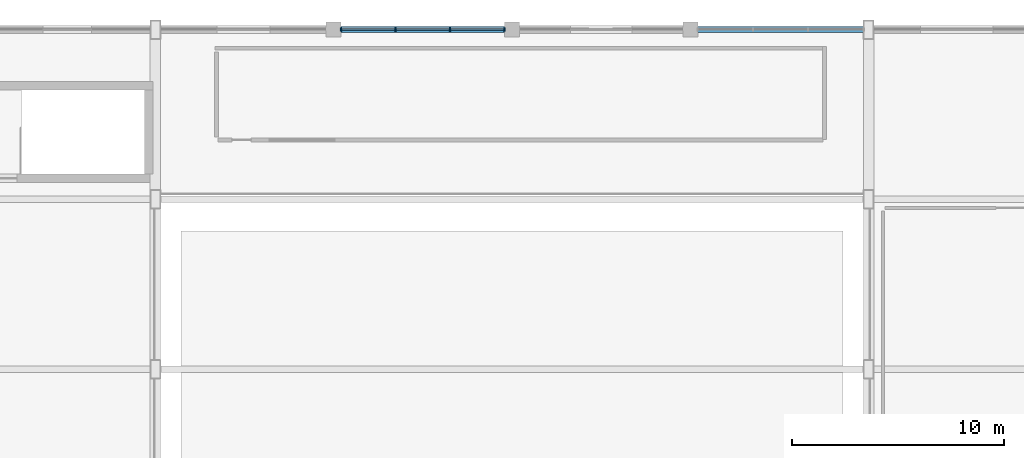
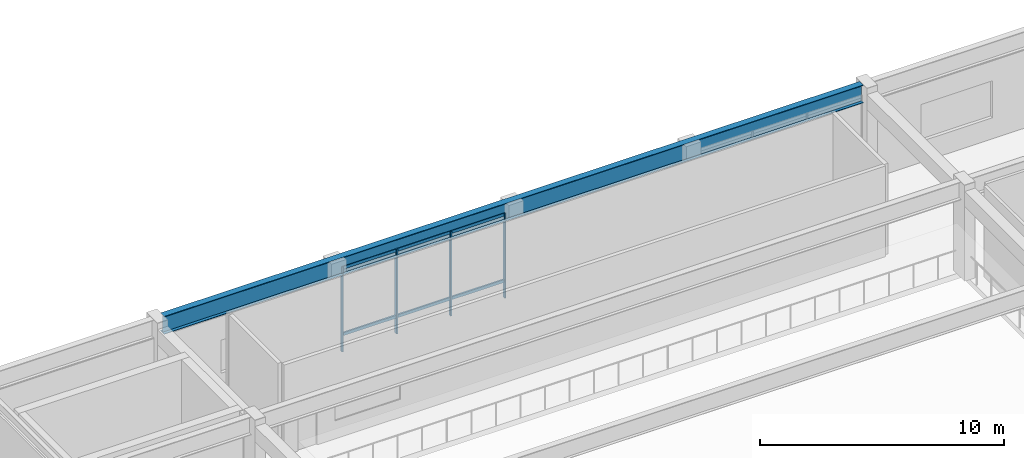
# One storey, part 39 of 76: 10 members, 1 beam, 1 element without a shape of its own.
"""IFC4 building model written with IfcOpenShell, lengths in metres."""

from ifc_helpers import new_model, si_unit, direction, frame, origin, origin_2d, place, context, subcontext, project, spatial, rectangle, i_section, extrude, material, layer, layer_set, material_profile, profile_set, type_object, element, aggregate, save


model = new_model("IFC4")

# Units and contexts
model_context = context("Model", 3, precision=1e-05, world=origin(), true_north=direction((0.0, 1.0)))
body_context = subcontext(model_context, "Body", "Model", "MODEL_VIEW")
ifc_project = project(units=[si_unit("LENGTHUNIT", "METRE"), si_unit("AREAUNIT", "SQUARE_METRE"), si_unit("VOLUMEUNIT", "CUBIC_METRE"), si_unit("PLANEANGLEUNIT", "RADIAN"), si_unit("MASSUNIT", "GRAM", prefix="KILO")], contexts=[model_context])

# Site, building, storey
site_placement = place(None, origin())
site = spatial("IfcSite", under=ifc_project, at=site_placement, CompositionType="ELEMENT")
building_placement = place(site_placement, origin())
building = spatial("IfcBuilding", under=site, at=building_placement, Name="Naruveol Harbour Congress Hotel", CompositionType="ELEMENT")
storey_placement = place(building_placement, frame((0.0, 0.0, 11.39990234375)))
storey = spatial("IfcBuildingStorey", under=building, at=storey_placement, Name="L02", CompositionType="ELEMENT", Elevation=11.39990234375)

# Beam
ifc_material_1 = material(Name="Steel SN490", Category="steel")
ifc_material_profile_1 = material_profile(ifc_material_1, i_section(OverallWidth=0.300048828125, OverallDepth=0.89990234375, WebThickness=0.01611328125, FlangeThickness=0.028076171875, at=origin_2d()), Name="H-900x300x16x28")
ifc_profile_set_1 = profile_set([ifc_material_profile_1], Name="Steel SN490")
beam_type = type_object("IfcBeamType", Name="STEEL BALLROOM GABLE GIRDER H900", PredefinedType="BEAM", material=ifc_profile_set_1)
beam_placement = place(storey_placement, frame((75.845947265625, 112.0, 4.35009765625), z_axis=(1.0, 0.0, 0.0), x_axis=(0.0, 1.0, 0.0)))
element("IfcBeam", 1, at=beam_placement, inside=storey, type_object=beam_type, Name="Ballroom main tie girder BG1", PredefinedType="BEAM", context=body_context, shape_type="SweptSolid", body=[
    extrude(i_section(OverallWidth=0.300048828125, OverallDepth=0.89990234375, WebThickness=0.01611328125, FlangeThickness=0.028076171875, at=origin_2d()), origin(), (0.0, 0.0, 1.0), 33.108154296875),
])

# Curtain wall, members
ifc_material_2 = material(Name="Low-E Curtain Wall System", Category="glass")
ifc_layer = layer(ifc_material_2, 0.179931640625)
ifc_layer_set = layer_set([ifc_layer], Name="Low-E Curtain Wall System")
curtain_wall_type = type_object("IfcCurtainWallType", Name="UNITISED CURTAIN WALL CW-V2N-22 7700X4250", PredefinedType="USERDEFINED", material=ifc_layer_set)
curtain_wall_placement = place(storey_placement, origin())
curtain_wall = element("IfcCurtainWall", 2, at=curtain_wall_placement, inside=storey, type_object=curtain_wall_type, Name="Unitised curtain wall CW-V2N-22 L02", ObjectType="UNITISED GLAZING", PredefinedType="USERDEFINED")
ifc_material_3 = material(Name="Anodised Aluminium 6063-T6", Category="aluminium")
ifc_material_profile_2 = material_profile(ifc_material_3, rectangle(XDim=0.06494140625, YDim=0.14990234375, at=origin_2d()), Name="ALU-65x150")
ifc_profile_set_2 = profile_set([ifc_material_profile_2], Name="Anodised Aluminium 6063-T6")
member_type_1 = type_object("IfcMemberType", Name="THERMAL ALUMINIUM MULLION 65X150", PredefinedType="MULLION", material=ifc_profile_set_2)
member_1_placement = place(storey_placement, frame((84.35009765625, 112.0, 0.0), z_axis=(0.0, 0.0, 1.0), x_axis=(1.0, 0.0, 0.0)))
member_1 = element("IfcMember", 3, at=member_1_placement, type_object=member_type_1, Name="Curtain wall mullion CW-L02-0047-M0", PredefinedType="MULLION", context=body_context, shape_type="SweptSolid", body=[
    extrude(rectangle(XDim=0.06494140625, YDim=0.14990234375, at=origin_2d()), origin(), (0.0, 0.0, 1.0), 4.25),
])
member_2_placement = place(storey_placement, frame((86.916748046875, 112.0, 0.0), z_axis=(0.0, 0.0, 1.0), x_axis=(1.0, 0.0, 0.0)))
member_2 = element("IfcMember", 4, at=member_2_placement, type_object=member_type_1, Name="Curtain wall mullion CW-L02-0047-M1", PredefinedType="MULLION", context=body_context, shape_type="SweptSolid", body=[
    extrude(rectangle(XDim=0.06494140625, YDim=0.14990234375, at=origin_2d()), origin(), (0.0, 0.0, 1.0), 4.25),
])
member_3_placement = place(storey_placement, frame((89.4833984375, 112.0, 0.0), z_axis=(0.0, 0.0, 1.0), x_axis=(1.0, 0.0, 0.0)))
member_3 = element("IfcMember", 5, at=member_3_placement, type_object=member_type_1, Name="Curtain wall mullion CW-L02-0047-M2", PredefinedType="MULLION", context=body_context, shape_type="SweptSolid", body=[
    extrude(rectangle(XDim=0.06494140625, YDim=0.14990234375, at=origin_2d()), origin(), (0.0, 0.0, 1.0), 4.25),
])
member_4_placement = place(storey_placement, frame((92.050048828125, 112.0, 0.0), z_axis=(0.0, 0.0, 1.0), x_axis=(1.0, 0.0, 0.0)))
member_4 = element("IfcMember", 6, at=member_4_placement, type_object=member_type_1, Name="Curtain wall mullion CW-L02-0047-M3", PredefinedType="MULLION", context=body_context, shape_type="SweptSolid", body=[
    extrude(rectangle(XDim=0.06494140625, YDim=0.14990234375, at=origin_2d()), origin(), (0.0, 0.0, 1.0), 4.25),
])
ifc_material_4 = material(Name="Anodised Aluminium 6063-T6", Category="aluminium")
ifc_material_profile_3 = material_profile(ifc_material_4, rectangle(XDim=0.074951171875, YDim=0.14990234375, at=origin_2d()), Name="ALU-75x150")
ifc_profile_set_3 = profile_set([ifc_material_profile_3], Name="Anodised Aluminium 6063-T6")
member_type_2 = type_object("IfcMemberType", Name="THERMAL ALUMINIUM TRANSOM 75X150", PredefinedType="USERDEFINED", material=ifc_profile_set_3)
member_5_placement = place(storey_placement, frame((84.389892578125, 112.0, 0.85009765625), z_axis=(1.0, 0.0, 0.0), x_axis=(0.0, 1.0, 0.0)))
member_5 = element("IfcMember", 7, at=member_5_placement, type_object=member_type_2, Name="Curtain wall transom CW-L02-0047-T0.1", ObjectType="TRANSOM", PredefinedType="USERDEFINED", context=body_context, shape_type="SweptSolid", body=[
    extrude(rectangle(XDim=0.074951171875, YDim=0.14990234375, at=origin_2d()), origin(), (0.0, 0.0, 1.0), 2.48681640625),
])
member_6_placement = place(storey_placement, frame((84.389892578125, 112.0, 4.170166015625), z_axis=(1.0, 0.0, 0.0), x_axis=(0.0, 1.0, 0.0)))
member_6 = element("IfcMember", 8, at=member_6_placement, type_object=member_type_2, Name="Curtain wall transom CW-L02-0047-T0.2", ObjectType="TRANSOM", PredefinedType="USERDEFINED", context=body_context, shape_type="SweptSolid", body=[
    extrude(rectangle(XDim=0.074951171875, YDim=0.14990234375, at=origin_2d()), origin(), (0.0, 0.0, 1.0), 2.48681640625),
])
member_7_placement = place(storey_placement, frame((86.956787109375, 112.0, 0.85009765625), z_axis=(1.0, 0.0, 0.0), x_axis=(0.0, 1.0, 0.0)))
member_7 = element("IfcMember", 9, at=member_7_placement, type_object=member_type_2, Name="Curtain wall transom CW-L02-0047-T1.1", ObjectType="TRANSOM", PredefinedType="USERDEFINED", context=body_context, shape_type="SweptSolid", body=[
    extrude(rectangle(XDim=0.074951171875, YDim=0.14990234375, at=origin_2d()), origin(), (0.0, 0.0, 1.0), 2.486572265625),
])
member_8_placement = place(storey_placement, frame((86.956787109375, 112.0, 4.170166015625), z_axis=(1.0, 0.0, 0.0), x_axis=(0.0, 1.0, 0.0)))
member_8 = element("IfcMember", 10, at=member_8_placement, type_object=member_type_2, Name="Curtain wall transom CW-L02-0047-T1.2", ObjectType="TRANSOM", PredefinedType="USERDEFINED", context=body_context, shape_type="SweptSolid", body=[
    extrude(rectangle(XDim=0.074951171875, YDim=0.14990234375, at=origin_2d()), origin(), (0.0, 0.0, 1.0), 2.486572265625),
])
member_9_placement = place(storey_placement, frame((89.523193359375, 112.0, 0.85009765625), z_axis=(1.0, 0.0, 0.0), x_axis=(0.0, 1.0, 0.0)))
member_9 = element("IfcMember", 11, at=member_9_placement, type_object=member_type_2, Name="Curtain wall transom CW-L02-0047-T2.1", ObjectType="TRANSOM", PredefinedType="USERDEFINED", context=body_context, shape_type="SweptSolid", body=[
    extrude(rectangle(XDim=0.074951171875, YDim=0.14990234375, at=origin_2d()), origin(), (0.0, 0.0, 1.0), 2.48681640625),
])
member_10_placement = place(storey_placement, frame((89.523193359375, 112.0, 4.170166015625), z_axis=(1.0, 0.0, 0.0), x_axis=(0.0, 1.0, 0.0)))
member_10 = element("IfcMember", 12, at=member_10_placement, type_object=member_type_2, Name="Curtain wall transom CW-L02-0047-T2.2", ObjectType="TRANSOM", PredefinedType="USERDEFINED", context=body_context, shape_type="SweptSolid", body=[
    extrude(rectangle(XDim=0.074951171875, YDim=0.14990234375, at=origin_2d()), origin(), (0.0, 0.0, 1.0), 2.48681640625),
])
aggregate(curtain_wall, [member_1, member_2, member_3, member_4, member_5, member_6, member_7, member_8, member_9, member_10])

save(model, "model.ifc")
